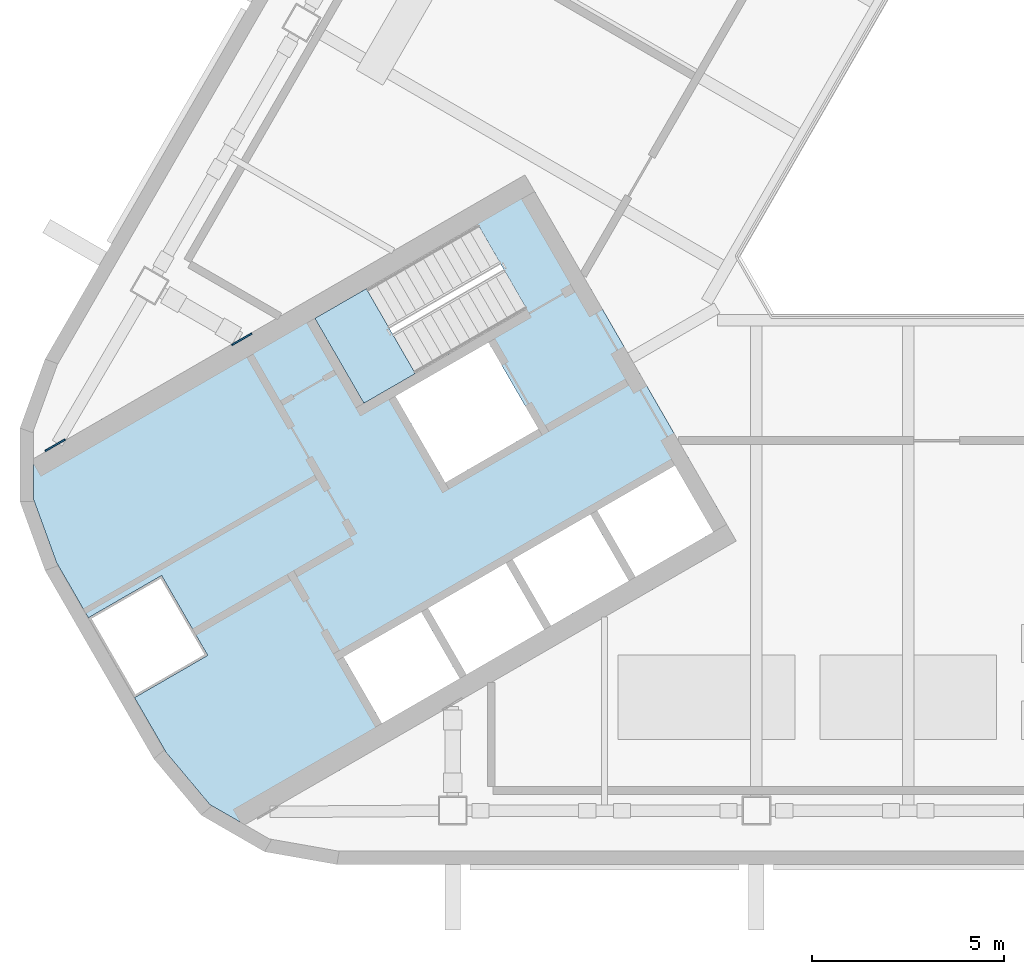
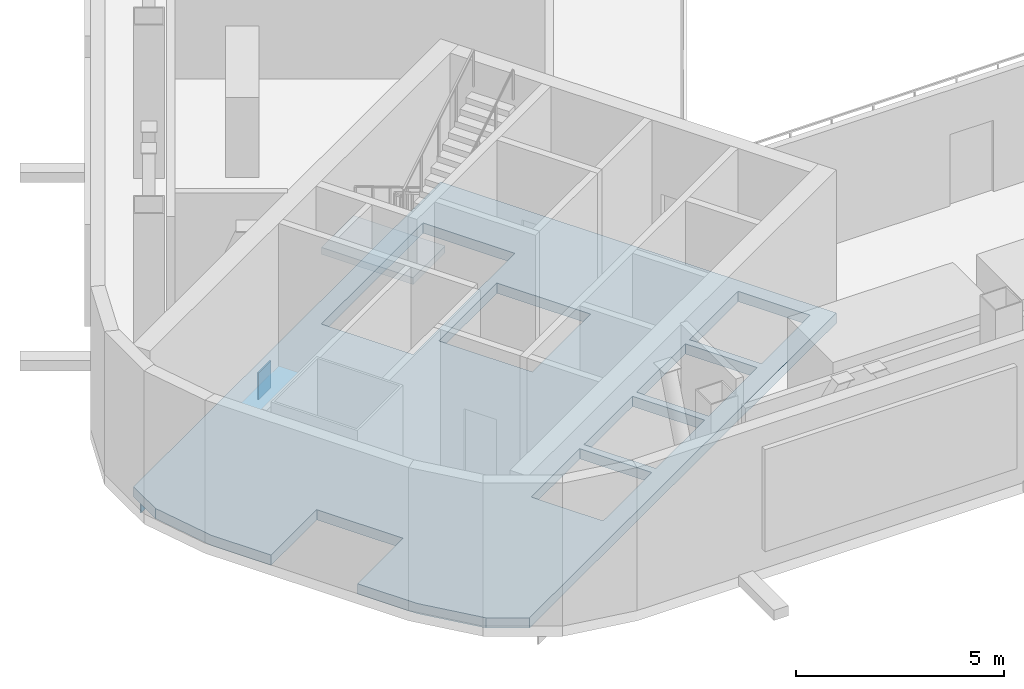
# One storey, part 4 of 15: 2 plates, 2 slabs, 1 element without a shape of its own.
"""IFC4 building model written with IfcOpenShell, lengths in metres."""

from ifc_helpers import new_model, si_unit, direction, frame, origin, origin_2d, place, context, subcontext, project, spatial, polyline, rectangle, outline, extrude, material, layer, layer_set, type_object, element, aggregate, save


model = new_model("IFC4")

# Units and contexts
model_context = context("Model", 3, precision=1e-05, world=origin(), true_north=direction((0.0, 1.0)))
body_context = subcontext(model_context, "Body", "Model", "MODEL_VIEW")
ifc_project = project(units=[si_unit("LENGTHUNIT", "METRE"), si_unit("AREAUNIT", "SQUARE_METRE"), si_unit("VOLUMEUNIT", "CUBIC_METRE"), si_unit("PLANEANGLEUNIT", "RADIAN"), si_unit("MASSUNIT", "GRAM", prefix="KILO")], contexts=[model_context])

# Site, building, storey
site_placement = place(None, origin())
site = spatial("IfcSite", under=ifc_project, at=site_placement, CompositionType="ELEMENT")
building_placement = place(site_placement, origin())
building = spatial("IfcBuilding", under=site, at=building_placement, Name="Apuvela Tower Hotel", CompositionType="ELEMENT")
storey_placement = place(building_placement, frame((0.0, 0.0, 237.699951171875)))
storey = spatial("IfcBuildingStorey", under=building, at=storey_placement, Name="L58 Plant", CompositionType="ELEMENT", Elevation=237.699951171875)

# Slab
ifc_material_1 = material(Name="Concrete C50/60", Category="concrete")
ifc_layer_1 = layer(ifc_material_1, 0.300048828125)
ifc_layer_set_1 = layer_set([ifc_layer_1], Name="COR-FLOOR-300")
slab_type_1 = type_object("IfcSlabType", Name="COR-FLOOR-300", PredefinedType="FLOOR", material=ifc_layer_set_1)
slab_1_placement = place(storey_placement, frame((0.0, 0.0, -0.300048828125)))
element("IfcSlab", 1, at=slab_1_placement, inside=storey, type_object=slab_type_1, Name="Core floor SW", PredefinedType="FLOOR", context=body_context, shape_type="SweptSolid", body=[
    extrude(outline(polyline([(-26.711181640625, -9.07080078125), (-26.711181640625, -10.123291015625), (-26.109375, -11.77734375), (-25.28173828125, -13.210693359375), (-23.37646484375, -12.11083984375), (-22.176513671875, -14.189208984375), (-24.081787109375, -15.289306640625), (-23.254150390625, -16.72265625), (-22.122802734375, -18.071044921875), (-21.211181640625, -18.59716796875), (-8.421630859375, -11.213134765625), (-13.921630859375, -1.68701171875), (-26.711181640625, -9.07080078125)]), holes=[polyline([(-10.01806640625, -9.248046875), (-9.01806640625, -10.97998046875), (-11.044677734375, -12.150146484375), (-12.044677734375, -10.418212890625), (-10.01806640625, -9.248046875)]), polyline([(-14.244384765625, -11.68798828125), (-12.2177734375, -10.51806640625), (-11.2177734375, -12.25), (-13.244384765625, -13.420166015625), (-14.244384765625, -11.68798828125)]), polyline([(-19.387451171875, -5.419921875), (-15.149169921875, -2.972900390625), (-13.874267578125, -5.18115234375), (-18.112548828125, -7.628173828125), (-19.387451171875, -5.419921875)]), polyline([(-14.869873046875, -6.044677734375), (-13.56982421875, -8.29638671875), (-15.99462890625, -9.6962890625), (-17.294677734375, -7.444580078125), (-14.869873046875, -6.044677734375)]), polyline([(-16.444091796875, -12.9580078125), (-14.41748046875, -11.7880859375), (-13.41748046875, -13.52001953125), (-15.444091796875, -14.690185546875), (-16.444091796875, -12.9580078125)]), polyline([(-18.643798828125, -14.22802734375), (-16.6171875, -13.05810546875), (-15.6171875, -14.7900390625), (-17.643798828125, -15.960205078125), (-18.643798828125, -14.22802734375)])]), origin(), (0.0, 0.0, 1.0), 0.300048828125),
])

# Stair, slab
stair_type = type_object("IfcStairType", Name="COR-STAIR-26R", PredefinedType="HALF_TURN_STAIR", material=ifc_material_1)
stair_placement = place(storey_placement, origin())
stair = element("IfcStair", 2, at=stair_placement, inside=storey, type_object=stair_type, Name="L58 Plant Exit stair ST2", PredefinedType="HALF_TURN_STAIR")
ifc_layer_2 = layer(ifc_material_1, 0.199951171875)
ifc_layer_set_2 = layer_set([ifc_layer_2], Name="COR-LANDING-200")
slab_type_2 = type_object("IfcSlabType", Name="COR-LANDING-200", PredefinedType="LANDING", material=ifc_layer_set_2)
slab_2_placement = place(storey_placement, frame((0.0, 0.0, 2.050048828125)))
slab_2 = element("IfcSlab", 3, at=slab_2_placement, type_object=slab_type_2, Name="ST2 landing 1", PredefinedType="LANDING", context=body_context, shape_type="SweptSolid", body=[
    extrude(outline(polyline([(-18.048583984375, -4.64697265625), (-19.387451171875, -5.419921875), (-18.112548828125, -7.628173828125), (-16.773681640625, -6.855224609375), (-18.048583984375, -4.64697265625)])), origin(), (0.0, 0.0, 1.0), 0.199951171875),
])
aggregate(stair, [slab_2])

# Plates
ifc_material_2 = material(Name="Steel S355", Category="steel")
ifc_layer_3 = layer(ifc_material_2, 0.0400390625)
ifc_layer_set_3 = layer_set([ifc_layer_3], Name="STR-CP 40 Steel S355")
plate_type = type_object("IfcPlateType", Name="STR-CP 40 Steel S355", PredefinedType="SHEET", material=ifc_layer_set_3)
for number, where, z_axis, x_axis, name in (
    (4, (-26.142578125, -8.719482421875, -1.0), (0.0, 0.0, 1.0), (-0.5, 0.866025403784, 0.0), "Cast-in plate CP-T2-54 40"),
    (5, (-21.2900390625, -5.964111328125, -1.0498046875), (0.0, 0.0, 1.0), (0.5, -0.866025403784, 0.0), "Cast-in plate CP-T2-58 40"),
):
    element("IfcPlate", number, at=place(storey_placement, frame(where, z_axis=z_axis, x_axis=x_axis)), inside=storey, type_object=plate_type, Name=name, PredefinedType="SHEET", context=body_context, shape_type="SweptSolid", body=[
        extrude(rectangle(XDim=0.0400390625, YDim=0.60009765625, at=origin_2d()), origin(), (0.0, 0.0, 1.0), 0.800048828125),
    ])

save(model, "model.ifc")
